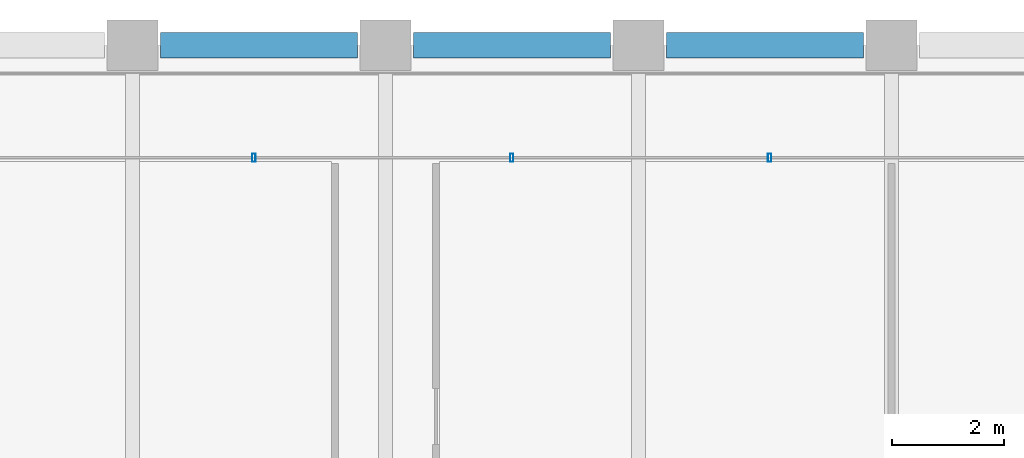
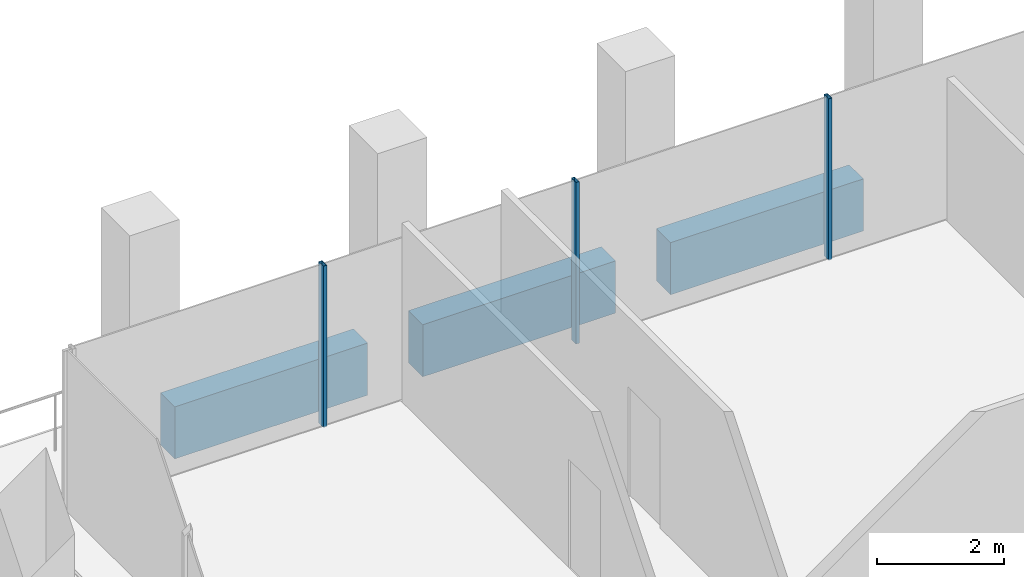
# One storey, part 23 of 44: 3 beams, 3 members, 1 element without a shape of its own.
"""IFC4 building model written with IfcOpenShell, lengths in metres."""

from ifc_helpers import new_model, si_unit, direction, frame, origin, origin_2d, place, context, subcontext, project, spatial, rectangle, hollow_rectangle, extrude, material, material_profile, profile_set, type_object, element, aggregate, save


model = new_model("IFC4")

# Units and contexts
model_context = context("Model", 3, precision=1e-05, world=origin(), true_north=direction((0.0, 1.0)))
body_context = subcontext(model_context, "Body", "Model", "MODEL_VIEW")
ifc_project = project(units=[si_unit("LENGTHUNIT", "METRE"), si_unit("AREAUNIT", "SQUARE_METRE"), si_unit("VOLUMEUNIT", "CUBIC_METRE"), si_unit("PLANEANGLEUNIT", "RADIAN"), si_unit("MASSUNIT", "GRAM", prefix="KILO")], contexts=[model_context])

# Site, building, storey
site_placement = place(None, origin())
site = spatial("IfcSite", under=ifc_project, at=site_placement, CompositionType="ELEMENT")
building_placement = place(site_placement, origin())
building = spatial("IfcBuilding", under=site, at=building_placement, Name="Altepetl Exchange Towers", CompositionType="ELEMENT")
storey_placement = place(building_placement, frame((0.0, 0.0, 143.800048828125)))
storey = spatial("IfcBuildingStorey", under=building, at=storey_placement, Name="L35", CompositionType="ELEMENT", Elevation=143.800048828125)

# Curtain wall, members
ifc_material_1 = material(Name="Aluminium 6063-T6 glazing", Category="aluminium")
curtain_wall_type = type_object("IfcCurtainWallType", Name="Loggia glazing system", PredefinedType="NOTDEFINED", material=ifc_material_1)
curtain_wall_placement = place(storey_placement, origin())
curtain_wall = element("IfcCurtainWall", 1, at=curtain_wall_placement, inside=storey, type_object=curtain_wall_type, Name="CW1 run", PredefinedType="NOTDEFINED")
ifc_material_2 = material(Name="Aluminium 6063-T6", Category="aluminium")
ifc_material_profile_1 = material_profile(ifc_material_2, hollow_rectangle(XDim=0.06005859375, YDim=0.14990234375, WallThickness=0.0029296875, at=origin_2d()), Name="Mullion 60x150 aluminium")
ifc_profile_set_1 = profile_set([ifc_material_profile_1], Name="Aluminium 6063-T6")
member_type = type_object("IfcMemberType", Name="Mullion 60x150 aluminium", PredefinedType="MULLION", material=ifc_profile_set_1)
member_1_placement = place(storey_placement, frame((56.330078125, 70.0, 0.0), z_axis=(0.0, 0.0, 1.0), x_axis=(-1.0, 0.0, 0.0)))
member_1 = element("IfcMember", 2, at=member_1_placement, type_object=member_type, Name="MU1 mullion", PredefinedType="MULLION", context=body_context, shape_type="SweptSolid", body=[
    extrude(hollow_rectangle(XDim=0.06005859375, YDim=0.14990234375, WallThickness=0.0029296875, at=origin_2d()), origin(), (0.0, 0.0, 1.0), 3.099853515625),
])
member_2_placement = place(storey_placement, frame((51.7451171875, 70.0, 0.0), z_axis=(0.0, 0.0, 1.0), x_axis=(-1.0, 0.0, 0.0)))
member_2 = element("IfcMember", 3, at=member_2_placement, type_object=member_type, Name="MU1 mullion", PredefinedType="MULLION", context=body_context, shape_type="SweptSolid", body=[
    extrude(hollow_rectangle(XDim=0.06005859375, YDim=0.14990234375, WallThickness=0.0029296875, at=origin_2d()), origin(), (0.0, 0.0, 1.0), 3.099853515625),
])
member_3_placement = place(storey_placement, frame((47.159912109375, 70.0, 0.0), z_axis=(0.0, 0.0, 1.0), x_axis=(-1.0, 0.0, 0.0)))
member_3 = element("IfcMember", 4, at=member_3_placement, type_object=member_type, Name="MU1 mullion", PredefinedType="MULLION", context=body_context, shape_type="SweptSolid", body=[
    extrude(hollow_rectangle(XDim=0.06005859375, YDim=0.14990234375, WallThickness=0.0029296875, at=origin_2d()), origin(), (0.0, 0.0, 1.0), 3.099853515625),
])
aggregate(curtain_wall, [member_1, member_2, member_3])

# Beams
ifc_material_3 = material(Name="Concrete C50/60 precast with cantera rosa facing", Category="concrete")
ifc_material_profile_2 = material_profile(ifc_material_3, rectangle(XDim=0.449951171875, YDim=1.0, at=origin_2d()), Name="450 x 1000")
ifc_profile_set_2 = profile_set([ifc_material_profile_2], Name="Concrete C50/60 precast with cantera rosa facing")
beam_type = type_object("IfcBeamType", Name="Spandrel beam 450x1000 cantera rosa", PredefinedType="SPANDREL", material=ifc_profile_set_2)
for number, where, z_axis, x_axis, name in (
    (5, (58.0, 72.0, -0.650146484375), (-1.0, 0.0, 0.0), (0.0, -1.0, 0.0), "sp:A:L35:026"),
    (6, (53.5, 72.0, -0.650146484375), (-1.0, 0.0, 0.0), (0.0, -1.0, 0.0), "sp:A:L35:027"),
    (7, (49.0, 72.0, -0.650146484375), (-1.0, 0.0, 0.0), (0.0, -1.0, 0.0), "sp:A:L35:028"),
):
    element("IfcBeam", number, at=place(storey_placement, frame(where, z_axis=z_axis, x_axis=x_axis)), inside=storey, type_object=beam_type, Name=name, PredefinedType="SPANDREL", context=body_context, shape_type="SweptSolid", body=[
        extrude(rectangle(XDim=0.449951171875, YDim=1.0, at=origin_2d()), origin(), (0.0, 0.0, 1.0), 3.5),
    ])

save(model, "model.ifc")
